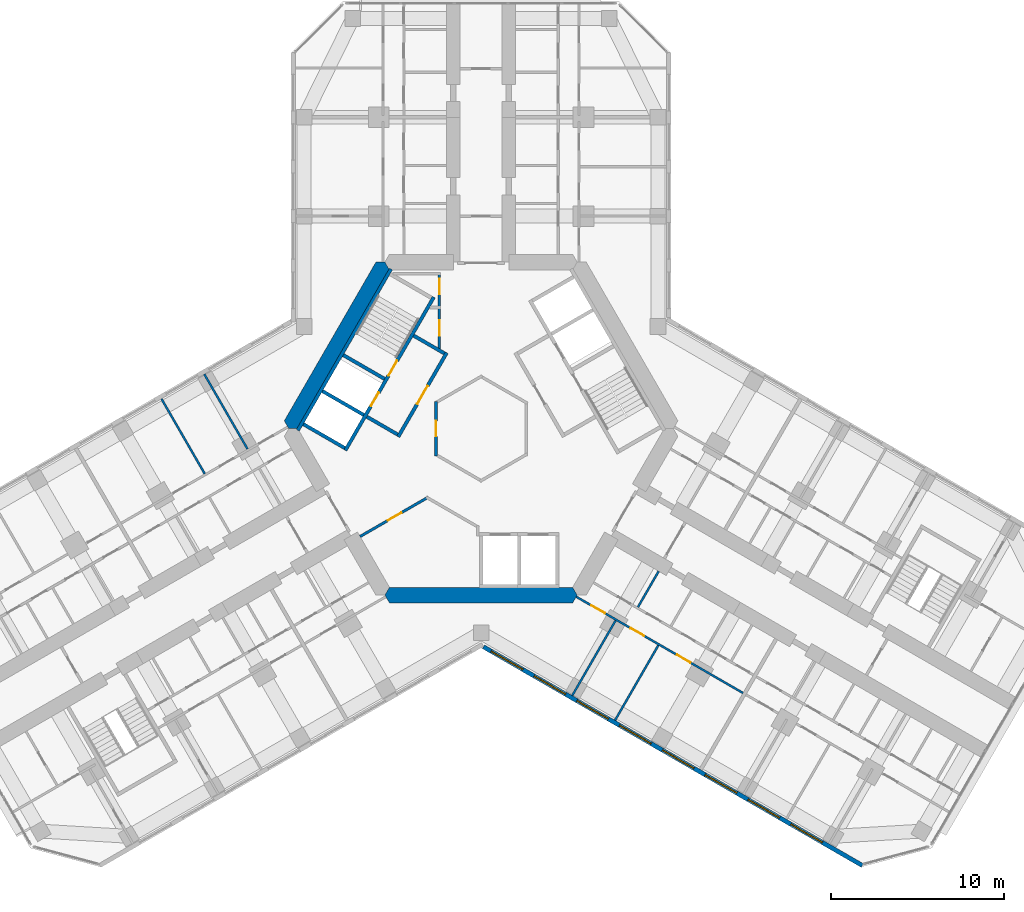
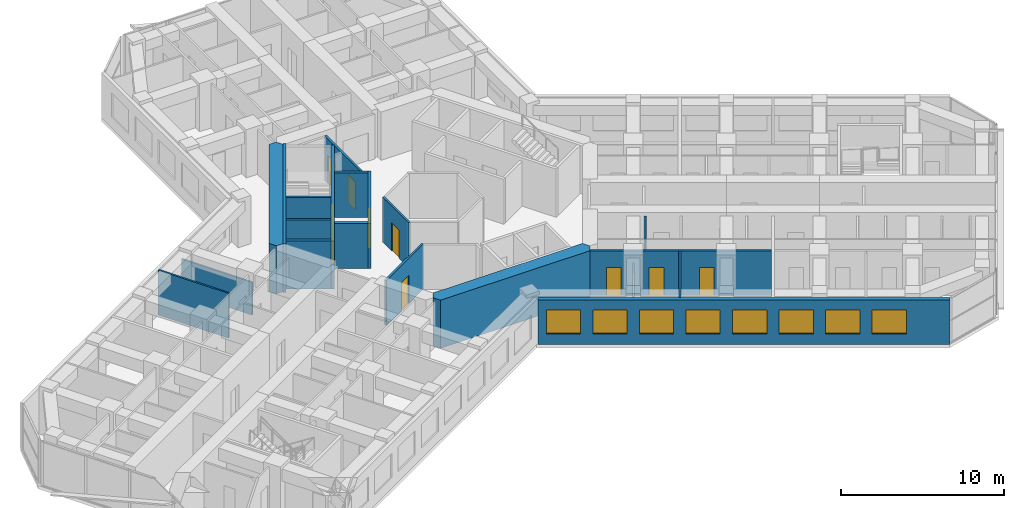
# One storey, part 13 of 20: 20 walls, 10 doors, 8 windows, 18 openings.
"""IFC4 building model written with IfcOpenShell, lengths in metres."""

from ifc_helpers import new_model, si_unit, direction, frame, frame_2d, origin, place, context, subcontext, project, spatial, polyline, rectangle, outline, extrude, material, layer, layer_set, type_object, element, fill, save


model = new_model("IFC4")

# Units and contexts
model_context = context("Model", 3, precision=1e-05, world=origin(), true_north=direction((0.0, 1.0)))
body_context = subcontext(model_context, "Body", "Model", "MODEL_VIEW")
ifc_project = project(units=[si_unit("LENGTHUNIT", "METRE"), si_unit("AREAUNIT", "SQUARE_METRE"), si_unit("VOLUMEUNIT", "CUBIC_METRE"), si_unit("PLANEANGLEUNIT", "RADIAN"), si_unit("MASSUNIT", "GRAM", prefix="KILO")], contexts=[model_context])

# Site, building, storey
site_placement = place(None, origin())
site = spatial("IfcSite", under=ifc_project, at=site_placement, CompositionType="ELEMENT")
building_placement = place(site_placement, origin())
building = spatial("IfcBuilding", under=site, at=building_placement, Name="Kosmar Iwan School Tower", CompositionType="ELEMENT")
storey_placement = place(building_placement, frame((0.0, 0.0, 176.0)))
storey = spatial("IfcBuildingStorey", under=building, at=storey_placement, Name="L44", CompositionType="ELEMENT", Elevation=176.0)

# Wall, openings, doors
ifc_material_1 = material(Name="Gypsum board on steel studs, fire-rated", Category="steel")
ifc_layer_1 = layer(ifc_material_1, 0.14990234375)
ifc_layer_set_1 = layer_set([ifc_layer_1], Name="Core room partition 150")
wall_type_1 = type_object("IfcWallType", Name="Core room partition 150", PredefinedType="PARTITIONING", material=ifc_layer_set_1)
wall_1_placement = place(storey_placement, frame((-2.39990234375, 9.014892578125, 0.0), z_axis=(0.0, 0.0, 1.0), x_axis=(0.0, -1.0, 0.0)))
wall_1 = element("IfcWall", 1, at=wall_1_placement, inside=storey, type_object=wall_type_1, Name="Core room partition L44-CW1", PredefinedType="PARTITIONING", context=body_context, shape_type="SweptSolid", body=[
    extrude(rectangle(XDim=4.484130859375, YDim=0.14990234375, at=frame_2d((2.2421875, 0.0))), origin(), (0.0, 0.0, 1.0), 3.35009765625),
])
opening_1_placement = place(wall_1_placement, frame((0.375, 0.0, 0.0)))
opening_1 = element("IfcOpeningElement", 2, at=opening_1_placement, cuts=wall_1, Name="Opening D14", PredefinedType="OPENING", context=body_context, shape_type="SweptSolid", body=[
    extrude(rectangle(XDim=0.89990234375, YDim=2.10009765625, at=frame_2d((0.449951171875, 1.050048828125))), frame((0.0, 0.0869140625, 0.0), z_axis=(0.0, -1.0, 0.0), x_axis=(1.0, 0.0, 0.0)), (0.0, 0.0, 1.0), 0.173828125),
])
opening_2_placement = place(wall_1_placement, frame((2.77490234375, 0.0, 0.0)))
opening_2 = element("IfcOpeningElement", 3, at=opening_2_placement, cuts=wall_1, Name="Opening D14", PredefinedType="OPENING", context=body_context, shape_type="SweptSolid", body=[
    extrude(rectangle(XDim=0.89990234375, YDim=2.10009765625, at=frame_2d((0.449951171875, 1.050048828125))), frame((0.0, 0.0869140625, 0.0), z_axis=(0.0, -1.0, 0.0), x_axis=(1.0, 0.0, 0.0)), (0.0, 0.0, 1.0), 0.173828125),
])
ifc_material_2 = material(Name="Timber fire door in steel frame", Category="steel")
door_type_1 = type_object("IfcDoorType", Name="Core room door 900x2100", OperationType="SINGLE_SWING_LEFT", PredefinedType="DOOR", material=ifc_material_2)
door_1_placement = place(opening_1_placement, origin())
door_1 = element("IfcDoor", 4, at=door_1_placement, inside=storey, type_object=door_type_1, Name="Electrical riser and switch room door L44 1", OperationType="SINGLE_SWING_LEFT", OverallHeight=2.10009765625, OverallWidth=0.89990234375, PredefinedType="DOOR", context=body_context, shape_type="SweptSolid", body=[
    extrude(rectangle(XDim=0.89990234375, YDim=2.10009765625, at=frame_2d((0.449951171875, 1.050048828125))), frame((0.0, 0.02490234375, 0.0), z_axis=(0.0, -1.0, 0.0), x_axis=(1.0, 0.0, 0.0)), (0.0, 0.0, 1.0), 0.050048828125),
])
fill(opening_1, door_1)
door_2_placement = place(opening_2_placement, origin())
door_2 = element("IfcDoor", 5, at=door_2_placement, inside=storey, type_object=door_type_1, Name="Plumbing and wet riser door L44 2", OperationType="SINGLE_SWING_RIGHT", OverallHeight=2.10009765625, OverallWidth=0.89990234375, PredefinedType="DOOR", context=body_context, shape_type="SweptSolid", body=[
    extrude(rectangle(XDim=0.89990234375, YDim=2.10009765625, at=frame_2d((0.449951171875, 1.050048828125))), frame((0.0, 0.02490234375, 0.0), z_axis=(0.0, -1.0, 0.0), x_axis=(1.0, 0.0, 0.0)), (0.0, 0.0, 1.0), 0.050048828125),
])
fill(opening_2, door_2)

# Wall, opening, door
wall_2_placement = place(storey_placement, frame((-6.978515625, -6.222900390625, 0.0), z_axis=(0.0, 0.0, 1.0), x_axis=(0.866033797781, 0.49998546089, 0.0)))
wall_2 = element("IfcWall", 6, at=wall_2_placement, inside=storey, type_object=wall_type_1, Name="Core room partition L44-CW5", PredefinedType="PARTITIONING", context=body_context, shape_type="SweptSolid", body=[
    extrude(rectangle(XDim=4.553466796875, YDim=0.14990234375, at=frame_2d((2.27685546875, 0.0))), origin(), (0.0, 0.0, 1.0), 3.35009765625),
])
opening_3_placement = place(wall_2_placement, frame((1.846923828125, 0.0, 0.0)))
opening_3 = element("IfcOpeningElement", 7, at=opening_3_placement, cuts=wall_2, Name="Opening D14", PredefinedType="OPENING", context=body_context, shape_type="SweptSolid", body=[
    extrude(rectangle(XDim=0.89990234375, YDim=2.10009765625, at=frame_2d((0.449951171875, 1.050048828125))), frame((0.0, 0.0869140625, 0.0), z_axis=(0.0, -1.0, 0.0), x_axis=(1.0, 0.0, 0.0)), (0.0, 0.0, 1.0), 0.173828125),
])
door_3_placement = place(opening_3_placement, origin())
door_3 = element("IfcDoor", 8, at=door_3_placement, inside=storey, type_object=door_type_1, Name="Residents' pantry door L44 3", OperationType="SINGLE_SWING_RIGHT", OverallHeight=2.10009765625, OverallWidth=0.89990234375, PredefinedType="DOOR", context=body_context, shape_type="SweptSolid", body=[
    extrude(rectangle(XDim=0.89990234375, YDim=2.10009765625, at=frame_2d((0.449951171875, 1.050048828125))), frame((0.0, 0.02490234375, 0.0), z_axis=(0.0, -1.0, 0.0), x_axis=(1.0, 0.0, 0.0)), (0.0, 0.0, 1.0), 0.050048828125),
])
fill(opening_3, door_3)

wall_3_placement = place(storey_placement, frame((-2.60009765625, -1.576171875, 0.0), z_axis=(0.0, 0.0, 1.0), x_axis=(0.0, 1.0, 0.0)))
wall_3 = element("IfcWall", 9, at=wall_3_placement, inside=storey, type_object=wall_type_1, Name="Core room partition L44-CW10", PredefinedType="PARTITIONING", context=body_context, shape_type="SweptSolid", body=[
    extrude(rectangle(XDim=3.15234375, YDim=0.14990234375, at=frame_2d((1.576171875, 0.0))), origin(), (0.0, 0.0, 1.0), 3.35009765625),
])
opening_4_placement = place(wall_3_placement, frame((1.1259765625, 0.0, 0.0)))
opening_4 = element("IfcOpeningElement", 10, at=opening_4_placement, cuts=wall_3, Name="Opening D14", PredefinedType="OPENING", context=body_context, shape_type="SweptSolid", body=[
    extrude(rectangle(XDim=0.89990234375, YDim=2.10009765625, at=frame_2d((0.449951171875, 1.050048828125))), frame((0.0, 0.0869140625, 0.0), z_axis=(0.0, -1.0, 0.0), x_axis=(1.0, 0.0, 0.0)), (0.0, 0.0, 1.0), 0.173828125),
])
door_4_placement = place(opening_4_placement, origin())
door_4 = element("IfcDoor", 11, at=door_4_placement, inside=storey, type_object=door_type_1, Name="Refuse and recycling room door L44 4", OperationType="SINGLE_SWING_LEFT", OverallHeight=2.10009765625, OverallWidth=0.89990234375, PredefinedType="DOOR", context=body_context, shape_type="SweptSolid", body=[
    extrude(rectangle(XDim=0.89990234375, YDim=2.10009765625, at=frame_2d((0.449951171875, 1.050048828125))), frame((0.0, 0.02490234375, 0.0), z_axis=(0.0, -1.0, 0.0), x_axis=(1.0, 0.0, 0.0)), (0.0, 0.0, 1.0), 0.050048828125),
])
fill(opening_4, door_4)

# Walls
ifc_material_3 = material(Name="Concrete C50/60", Category="concrete")
ifc_layer_2 = layer(ifc_material_3, 0.89990234375)
ifc_layer_set_2 = layer_set([ifc_layer_2], Name="Core wall 900")
wall_type_2 = type_object("IfcWallType", Name="Core wall 900", PredefinedType="SHEAR", material=ifc_layer_set_2)
wall_4_placement = place(storey_placement, origin())
element("IfcWall", 12, at=wall_4_placement, inside=storey, type_object=wall_type_2, Name="Core wall F150", PredefinedType="SHEAR", context=body_context, shape_type="SweptSolid", body=[
    extrude(outline(polyline([(-11.085205078125, 0.0), (-10.5654296875, 0.0), (-5.28271484375, 9.14990234375), (-5.54248046875, 9.60009765625), (-6.062255859375, 9.60009765625), (-11.344970703125, 0.449951171875), (-11.085205078125, 0.0)])), origin(), (0.0, 0.0, 1.0), 3.60009765625),
])
wall_5_placement = place(storey_placement, origin())
element("IfcWall", 13, at=wall_5_placement, inside=storey, type_object=wall_type_2, Name="Core wall F270", PredefinedType="SHEAR", context=body_context, shape_type="SweptSolid", body=[
    extrude(outline(polyline([(-5.28271484375, -10.050048828125), (5.28271484375, -10.050048828125), (5.54248046875, -9.60009765625), (5.28271484375, -9.14990234375), (-5.28271484375, -9.14990234375), (-5.54248046875, -9.60009765625), (-5.28271484375, -10.050048828125)])), origin(), (0.0, 0.0, 1.0), 3.60009765625),
])
ifc_material_4 = material(Name="Gypsum board on steel studs", Category="steel")
ifc_layer_3 = layer(ifc_material_4, 0.1201171875)
ifc_layer_set_3 = layer_set([ifc_layer_3], Name="Dwelling partition 120")
wall_type_3 = type_object("IfcWallType", Name="Dwelling partition 120", PredefinedType="PARTITIONING", material=ifc_layer_set_3)
wall_6_placement = place(storey_placement, frame((-13.4638671875, -1.179931640625, 0.0), z_axis=(0.0, 0.0, 1.0), x_axis=(-0.499975153383, 0.86603974851, 0.0)))
element("IfcWall", 14, at=wall_6_placement, inside=storey, type_object=wall_type_3, Name="Partition L44-BR1-X1", PredefinedType="PARTITIONING", context=body_context, shape_type="SweptSolid", body=[
    extrude(rectangle(XDim=4.989990234375, YDim=0.1201171875, at=frame_2d((2.4951171875, 0.0))), origin(), (0.0, 0.0, 1.0), 2.449951171875),
])
wall_7_placement = place(storey_placement, frame((-15.931884765625, -2.60498046875, 0.0), z_axis=(0.0, 0.0, 1.0), x_axis=(-0.500011847778, 0.866018563358, 0.0)))
element("IfcWall", 15, at=wall_7_placement, inside=storey, type_object=wall_type_3, Name="Partition L44-BR1-X2", PredefinedType="PARTITIONING", context=body_context, shape_type="SweptSolid", body=[
    extrude(rectangle(XDim=4.990234375, YDim=0.1201171875, at=frame_2d((2.4951171875, 0.0))), origin(), (0.0, 0.0, 1.0), 3.35009765625),
])

# Wall, openings, doors
wall_8_placement = place(storey_placement, frame((5.48876953125, -9.693115234375, 0.0), z_axis=(0.0, 0.0, 1.0), x_axis=(0.866026992824, -0.499997247692, 0.0)))
wall_8 = element("IfcWall", 16, at=wall_8_placement, inside=storey, type_object=wall_type_3, Name="Partition L44-CR1-W2", PredefinedType="PARTITIONING", context=body_context, shape_type="SweptSolid", body=[
    extrude(rectangle(XDim=11.10009765625, YDim=0.1201171875, at=frame_2d((5.550048828125, 0.0))), origin(), (0.0, 0.0, 1.0), 3.35009765625),
])
opening_5_placement = place(wall_8_placement, frame((1.0, 0.0, 0.0)))
opening_5 = element("IfcOpeningElement", 17, at=opening_5_placement, cuts=wall_8, Name="Opening D2", PredefinedType="OPENING", context=body_context, shape_type="SweptSolid", body=[
    extrude(rectangle(XDim=0.89990234375, YDim=2.10009765625, at=frame_2d((0.449951171875, 1.050048828125))), frame((0.0, 0.072021484375, 0.0), z_axis=(0.0, -1.0, 0.0), x_axis=(1.0, 0.0, 0.0)), (0.0, 0.0, 1.0), 0.14404296875),
])
opening_6_placement = place(wall_8_placement, frame((3.625, 0.0, 0.0)))
opening_6 = element("IfcOpeningElement", 18, at=opening_6_placement, cuts=wall_8, Name="Opening D2", PredefinedType="OPENING", context=body_context, shape_type="SweptSolid", body=[
    extrude(rectangle(XDim=0.89990234375, YDim=2.10009765625, at=frame_2d((0.449951171875, 1.050048828125))), frame((0.0, 0.072021484375, 0.0), z_axis=(0.0, -1.0, 0.0), x_axis=(1.0, 0.0, 0.0)), (0.0, 0.0, 1.0), 0.14404296875),
])
opening_7_placement = place(wall_8_placement, frame((6.699951171875, 0.0, 0.0)))
opening_7 = element("IfcOpeningElement", 19, at=opening_7_placement, cuts=wall_8, Name="Opening D2", PredefinedType="OPENING", context=body_context, shape_type="SweptSolid", body=[
    extrude(rectangle(XDim=0.89990234375, YDim=2.10009765625, at=frame_2d((0.449951171875, 1.050048828125))), frame((0.0, 0.072021484375, 0.0), z_axis=(0.0, -1.0, 0.0), x_axis=(1.0, 0.0, 0.0)), (0.0, 0.0, 1.0), 0.14404296875),
])
ifc_material_5 = material(Name="Timber door in timber frame", Category="wood")
door_type_2 = type_object("IfcDoorType", Name="Internal door 900x2100", OperationType="SINGLE_SWING_LEFT", PredefinedType="DOOR", material=ifc_material_5)
door_5_placement = place(opening_5_placement, origin())
door_5 = element("IfcDoor", 20, at=door_5_placement, inside=storey, type_object=door_type_2, Name="Bedroom 1 door L44-CR1-F1", OperationType="SINGLE_SWING_LEFT", OverallHeight=2.10009765625, OverallWidth=0.89990234375, PredefinedType="DOOR", context=body_context, shape_type="SweptSolid", body=[
    extrude(rectangle(XDim=0.89990234375, YDim=2.10009765625, at=frame_2d((0.449951171875, 1.050048828125))), frame((0.0, 0.02490234375, 0.0), z_axis=(0.0, -1.0, 0.0), x_axis=(1.0, 0.0, 0.0)), (0.0, 0.0, 1.0), 0.050048828125),
])
fill(opening_5, door_5)
door_6_placement = place(opening_6_placement, origin())
door_6 = element("IfcDoor", 21, at=door_6_placement, inside=storey, type_object=door_type_2, Name="Study door L44-CR1-F2", OperationType="SINGLE_SWING_LEFT", OverallHeight=2.10009765625, OverallWidth=0.89990234375, PredefinedType="DOOR", context=body_context, shape_type="SweptSolid", body=[
    extrude(rectangle(XDim=0.89990234375, YDim=2.10009765625, at=frame_2d((0.449951171875, 1.050048828125))), frame((0.0, 0.02490234375, 0.0), z_axis=(0.0, -1.0, 0.0), x_axis=(1.0, 0.0, 0.0)), (0.0, 0.0, 1.0), 0.050048828125),
])
fill(opening_6, door_6)
door_7_placement = place(opening_7_placement, origin())
door_7 = element("IfcDoor", 22, at=door_7_placement, inside=storey, type_object=door_type_2, Name="Family room and kitchen door L44-CR1-F3", OperationType="SINGLE_SWING_RIGHT", OverallHeight=2.10009765625, OverallWidth=0.89990234375, PredefinedType="DOOR", context=body_context, shape_type="SweptSolid", body=[
    extrude(rectangle(XDim=0.89990234375, YDim=2.10009765625, at=frame_2d((0.449951171875, 1.050048828125))), frame((0.0, 0.02490234375, 0.0), z_axis=(0.0, -1.0, 0.0), x_axis=(1.0, 0.0, 0.0)), (0.0, 0.0, 1.0), 0.050048828125),
])
fill(opening_7, door_7)

# Walls
wall_9_placement = place(storey_placement, frame((7.75390625, -11.070068359375, 0.0), z_axis=(0.0, 0.0, 1.0), x_axis=(-0.500011847778, -0.866018563358, 0.0)))
element("IfcWall", 23, at=wall_9_placement, inside=storey, type_object=wall_type_3, Name="Partition L44-CR1-X1", PredefinedType="PARTITIONING", context=body_context, shape_type="SweptSolid", body=[
    extrude(rectangle(XDim=4.990234375, YDim=0.1201171875, at=frame_2d((2.4951171875, 0.0))), origin(), (0.0, 0.0, 1.0), 2.449951171875),
])
wall_10_placement = place(storey_placement, frame((10.221923828125, -12.4951171875, 0.0), z_axis=(0.0, 0.0, 1.0), x_axis=(-0.499996339024, -0.86602751744, 0.0)))
element("IfcWall", 24, at=wall_10_placement, inside=storey, type_object=wall_type_3, Name="Partition L44-CR1-X2", PredefinedType="PARTITIONING", context=body_context, shape_type="SweptSolid", body=[
    extrude(rectangle(XDim=4.98974609375, YDim=0.1201171875, at=frame_2d((2.494873046875, 0.0))), origin(), (0.0, 0.0, 1.0), 3.35009765625),
])
wall_11_placement = place(storey_placement, frame((10.240966796875, -8.221923828125, 0.0), z_axis=(0.0, 0.0, 1.0), x_axis=(-0.500017192868, -0.86601547725, 0.0)))
element("IfcWall", 25, at=wall_11_placement, inside=storey, type_object=wall_type_3, Name="Partition L44-CR1-Y1", PredefinedType="PARTITIONING", context=body_context, shape_type="SweptSolid", body=[
    extrude(rectangle(XDim=2.39013671875, YDim=0.1201171875, at=frame_2d((1.195068359375, 0.0))), origin(), (0.0, 0.0, 1.0), 3.35009765625),
])

# Wall, openings, windows
ifc_material_6 = material(Name="Black aluminium rainscreen on insulated framing", Category="aluminium")
ifc_layer_4 = layer(ifc_material_6, 0.25)
ifc_layer_set_4 = layer_set([ifc_layer_4], Name="External wall rainscreen 250")
wall_type_4 = type_object("IfcWallType", Name="External wall rainscreen 250", PredefinedType="SOLIDWALL", material=ifc_layer_set_4)
wall_12_placement = place(storey_placement, frame((0.137939453125, -12.5791015625, 0.0), z_axis=(0.0, 0.0, 1.0), x_axis=(0.866023775649, -0.500002820003, 0.0)))
wall_12 = element("IfcWall", 26, at=wall_12_placement, inside=storey, type_object=wall_type_4, Name="External wall CR L44", PredefinedType="SOLIDWALL", context=body_context, shape_type="SweptSolid", body=[
    extrude(rectangle(XDim=25.226318359375, YDim=0.25, at=frame_2d((12.61328125, 0.0))), origin(), (0.0, 0.0, 1.0), 3.35009765625),
])
opening_8_placement = place(wall_12_placement, frame((0.51611328125, 0.0, 0.800048828125)))
opening_8 = element("IfcOpeningElement", 27, at=opening_8_placement, cuts=wall_12, Name="Opening W4", PredefinedType="OPENING", context=body_context, shape_type="SweptSolid", body=[
    extrude(rectangle(XDim=2.10009765625, YDim=1.800048828125, at=frame_2d((1.050048828125, 0.89990234375))), frame((0.0, 0.136962890625, 0.0), z_axis=(0.0, -1.0, 0.0), x_axis=(1.0, 0.0, 0.0)), (0.0, 0.0, 1.0), 0.27392578125),
])
opening_9_placement = place(wall_12_placement, frame((3.365966796875, 0.0, 0.800048828125)))
opening_9 = element("IfcOpeningElement", 28, at=opening_9_placement, cuts=wall_12, Name="Opening W4", PredefinedType="OPENING", context=body_context, shape_type="SweptSolid", body=[
    extrude(rectangle(XDim=2.10009765625, YDim=1.800048828125, at=frame_2d((1.050048828125, 0.89990234375))), frame((0.0, 0.136962890625, 0.0), z_axis=(0.0, -1.0, 0.0), x_axis=(1.0, 0.0, 0.0)), (0.0, 0.0, 1.0), 0.27392578125),
])
opening_10_placement = place(wall_12_placement, frame((6.216064453125, 0.0, 0.800048828125)))
opening_10 = element("IfcOpeningElement", 29, at=opening_10_placement, cuts=wall_12, Name="Opening W4", PredefinedType="OPENING", context=body_context, shape_type="SweptSolid", body=[
    extrude(rectangle(XDim=2.10009765625, YDim=1.800048828125, at=frame_2d((1.050048828125, 0.89990234375))), frame((0.0, 0.136962890625, 0.0), z_axis=(0.0, -1.0, 0.0), x_axis=(1.0, 0.0, 0.0)), (0.0, 0.0, 1.0), 0.27392578125),
])
opening_11_placement = place(wall_12_placement, frame((9.06591796875, 0.0, 0.800048828125)))
opening_11 = element("IfcOpeningElement", 30, at=opening_11_placement, cuts=wall_12, Name="Opening W4", PredefinedType="OPENING", context=body_context, shape_type="SweptSolid", body=[
    extrude(rectangle(XDim=2.10009765625, YDim=1.800048828125, at=frame_2d((1.050048828125, 0.89990234375))), frame((0.0, 0.136962890625, 0.0), z_axis=(0.0, -1.0, 0.0), x_axis=(1.0, 0.0, 0.0)), (0.0, 0.0, 1.0), 0.27392578125),
])
opening_12_placement = place(wall_12_placement, frame((11.916015625, 0.0, 0.800048828125)))
opening_12 = element("IfcOpeningElement", 31, at=opening_12_placement, cuts=wall_12, Name="Opening W4", PredefinedType="OPENING", context=body_context, shape_type="SweptSolid", body=[
    extrude(rectangle(XDim=2.10009765625, YDim=1.800048828125, at=frame_2d((1.050048828125, 0.89990234375))), frame((0.0, 0.136962890625, 0.0), z_axis=(0.0, -1.0, 0.0), x_axis=(1.0, 0.0, 0.0)), (0.0, 0.0, 1.0), 0.27392578125),
])
opening_13_placement = place(wall_12_placement, frame((14.76611328125, 0.0, 0.800048828125)))
opening_13 = element("IfcOpeningElement", 32, at=opening_13_placement, cuts=wall_12, Name="Opening W4", PredefinedType="OPENING", context=body_context, shape_type="SweptSolid", body=[
    extrude(rectangle(XDim=2.10009765625, YDim=1.800048828125, at=frame_2d((1.050048828125, 0.89990234375))), frame((0.0, 0.136962890625, 0.0), z_axis=(0.0, -1.0, 0.0), x_axis=(1.0, 0.0, 0.0)), (0.0, 0.0, 1.0), 0.27392578125),
])
opening_14_placement = place(wall_12_placement, frame((17.615966796875, 0.0, 0.800048828125)))
opening_14 = element("IfcOpeningElement", 33, at=opening_14_placement, cuts=wall_12, Name="Opening W4", PredefinedType="OPENING", context=body_context, shape_type="SweptSolid", body=[
    extrude(rectangle(XDim=2.10009765625, YDim=1.800048828125, at=frame_2d((1.050048828125, 0.89990234375))), frame((0.0, 0.136962890625, 0.0), z_axis=(0.0, -1.0, 0.0), x_axis=(1.0, 0.0, 0.0)), (0.0, 0.0, 1.0), 0.27392578125),
])
opening_15_placement = place(wall_12_placement, frame((20.466064453125, 0.0, 0.800048828125)))
opening_15 = element("IfcOpeningElement", 34, at=opening_15_placement, cuts=wall_12, Name="Opening W4", PredefinedType="OPENING", context=body_context, shape_type="SweptSolid", body=[
    extrude(rectangle(XDim=2.10009765625, YDim=1.800048828125, at=frame_2d((1.050048828125, 0.89990234375))), frame((0.0, 0.136962890625, 0.0), z_axis=(0.0, -1.0, 0.0), x_axis=(1.0, 0.0, 0.0)), (0.0, 0.0, 1.0), 0.27392578125),
])
ifc_material_7 = material(Name="Black aluminium frame with dark triple glazing", Category="aluminium")
window_type = type_object("IfcWindowType", Name="Window 2100x1800", PartitioningType="SINGLE_PANEL", PredefinedType="WINDOW", material=ifc_material_7)
window_1_placement = place(opening_8_placement, origin())
window_1 = element("IfcWindow", 35, at=window_1_placement, inside=storey, type_object=window_type, Name="Window CR L44 -1", OverallHeight=1.800048828125, OverallWidth=2.10009765625, PartitioningType="SINGLE_PANEL", PredefinedType="WINDOW", context=body_context, shape_type="SweptSolid", body=[
    extrude(rectangle(XDim=2.10009765625, YDim=1.800048828125, at=frame_2d((1.050048828125, 0.89990234375))), frame((0.0, 0.030029296875, 0.0), z_axis=(0.0, -1.0, 0.0), x_axis=(1.0, 0.0, 0.0)), (0.0, 0.0, 1.0), 0.06005859375),
])
fill(opening_8, window_1)
window_2_placement = place(opening_9_placement, origin())
window_2 = element("IfcWindow", 36, at=window_2_placement, inside=storey, type_object=window_type, Name="Window CR L44 0", OverallHeight=1.800048828125, OverallWidth=2.10009765625, PartitioningType="SINGLE_PANEL", PredefinedType="WINDOW", context=body_context, shape_type="SweptSolid", body=[
    extrude(rectangle(XDim=2.10009765625, YDim=1.800048828125, at=frame_2d((1.050048828125, 0.89990234375))), frame((0.0, 0.030029296875, 0.0), z_axis=(0.0, -1.0, 0.0), x_axis=(1.0, 0.0, 0.0)), (0.0, 0.0, 1.0), 0.06005859375),
])
fill(opening_9, window_2)
window_3_placement = place(opening_10_placement, origin())
window_3 = element("IfcWindow", 37, at=window_3_placement, inside=storey, type_object=window_type, Name="Window CR L44 1", OverallHeight=1.800048828125, OverallWidth=2.10009765625, PartitioningType="SINGLE_PANEL", PredefinedType="WINDOW", context=body_context, shape_type="SweptSolid", body=[
    extrude(rectangle(XDim=2.10009765625, YDim=1.800048828125, at=frame_2d((1.050048828125, 0.89990234375))), frame((0.0, 0.030029296875, 0.0), z_axis=(0.0, -1.0, 0.0), x_axis=(1.0, 0.0, 0.0)), (0.0, 0.0, 1.0), 0.06005859375),
])
fill(opening_10, window_3)
window_4_placement = place(opening_11_placement, origin())
window_4 = element("IfcWindow", 38, at=window_4_placement, inside=storey, type_object=window_type, Name="Window CR L44 2", OverallHeight=1.800048828125, OverallWidth=2.10009765625, PartitioningType="SINGLE_PANEL", PredefinedType="WINDOW", context=body_context, shape_type="SweptSolid", body=[
    extrude(rectangle(XDim=2.10009765625, YDim=1.800048828125, at=frame_2d((1.050048828125, 0.89990234375))), frame((0.0, 0.030029296875, 0.0), z_axis=(0.0, -1.0, 0.0), x_axis=(1.0, 0.0, 0.0)), (0.0, 0.0, 1.0), 0.06005859375),
])
fill(opening_11, window_4)
window_5_placement = place(opening_12_placement, origin())
window_5 = element("IfcWindow", 39, at=window_5_placement, inside=storey, type_object=window_type, Name="Window CR L44 3", OverallHeight=1.800048828125, OverallWidth=2.10009765625, PartitioningType="SINGLE_PANEL", PredefinedType="WINDOW", context=body_context, shape_type="SweptSolid", body=[
    extrude(rectangle(XDim=2.10009765625, YDim=1.800048828125, at=frame_2d((1.050048828125, 0.89990234375))), frame((0.0, 0.030029296875, 0.0), z_axis=(0.0, -1.0, 0.0), x_axis=(1.0, 0.0, 0.0)), (0.0, 0.0, 1.0), 0.06005859375),
])
fill(opening_12, window_5)
window_6_placement = place(opening_13_placement, origin())
window_6 = element("IfcWindow", 40, at=window_6_placement, inside=storey, type_object=window_type, Name="Window CR L44 4", OverallHeight=1.800048828125, OverallWidth=2.10009765625, PartitioningType="SINGLE_PANEL", PredefinedType="WINDOW", context=body_context, shape_type="SweptSolid", body=[
    extrude(rectangle(XDim=2.10009765625, YDim=1.800048828125, at=frame_2d((1.050048828125, 0.89990234375))), frame((0.0, 0.030029296875, 0.0), z_axis=(0.0, -1.0, 0.0), x_axis=(1.0, 0.0, 0.0)), (0.0, 0.0, 1.0), 0.06005859375),
])
fill(opening_13, window_6)
window_7_placement = place(opening_14_placement, origin())
window_7 = element("IfcWindow", 41, at=window_7_placement, inside=storey, type_object=window_type, Name="Window CR L44 5", OverallHeight=1.800048828125, OverallWidth=2.10009765625, PartitioningType="SINGLE_PANEL", PredefinedType="WINDOW", context=body_context, shape_type="SweptSolid", body=[
    extrude(rectangle(XDim=2.10009765625, YDim=1.800048828125, at=frame_2d((1.050048828125, 0.89990234375))), frame((0.0, 0.030029296875, 0.0), z_axis=(0.0, -1.0, 0.0), x_axis=(1.0, 0.0, 0.0)), (0.0, 0.0, 1.0), 0.06005859375),
])
fill(opening_14, window_7)
window_8_placement = place(opening_15_placement, origin())
window_8 = element("IfcWindow", 42, at=window_8_placement, inside=storey, type_object=window_type, Name="Window CR L44 6", OverallHeight=1.800048828125, OverallWidth=2.10009765625, PartitioningType="SINGLE_PANEL", PredefinedType="WINDOW", context=body_context, shape_type="SweptSolid", body=[
    extrude(rectangle(XDim=2.10009765625, YDim=1.800048828125, at=frame_2d((1.050048828125, 0.89990234375))), frame((0.0, 0.030029296875, 0.0), z_axis=(0.0, -1.0, 0.0), x_axis=(1.0, 0.0, 0.0)), (0.0, 0.0, 1.0), 0.06005859375),
])
fill(opening_15, window_8)

# Wall, opening, door
ifc_material_8 = material(Name="Concrete block masonry", Category="masonry")
ifc_layer_5 = layer(ifc_material_8, 0.199951171875)
ifc_layer_set_5 = layer_set([ifc_layer_5], Name="Fire lobby wall 200")
wall_type_5 = type_object("IfcWallType", Name="Fire lobby wall 200", PredefinedType="PARTITIONING", material=ifc_layer_set_5)
wall_13_placement = place(storey_placement, frame((-1.9775390625, 4.374755859375, 0.0), z_axis=(0.0, 0.0, 1.0), x_axis=(-0.500016814911, -0.866015695474, 0.0)))
wall_13 = element("IfcWall", 43, at=wall_13_placement, inside=storey, type_object=wall_type_5, Name="Firefighting lobby wall ST2", PredefinedType="PARTITIONING", context=body_context, shape_type="SweptSolid", body=[
    extrude(rectangle(XDim=5.599853515625, YDim=0.199951171875, at=frame_2d((2.7998046875, 0.0))), origin(), (0.0, 0.0, 1.0), 3.35009765625),
])
opening_16_placement = place(wall_13_placement, frame((2.199951171875, 0.0, 0.0)))
opening_16 = element("IfcOpeningElement", 44, at=opening_16_placement, cuts=wall_13, Name="Opening D7", PredefinedType="OPENING", context=body_context, shape_type="SweptSolid", body=[
    extrude(rectangle(XDim=1.199951171875, YDim=2.10009765625, at=frame_2d((0.60009765625, 1.050048828125))), frame((0.0, 0.112060546875, 0.0), z_axis=(0.0, -1.0, 0.0), x_axis=(1.0, 0.0, 0.0)), (0.0, 0.0, 1.0), 0.223876953125),
])
ifc_material_9 = material(Name="Steel fire door", Category="steel")
door_type_3 = type_object("IfcDoorType", Name="Fire lobby door 1200x2100", OperationType="SINGLE_SWING_LEFT", PredefinedType="DOOR", material=ifc_material_9)
door_8_placement = place(opening_16_placement, frame((1.199951171875, 0.0, 0.0), z_axis=(0.0, 0.0, 1.0), x_axis=(-1.0, 0.0, 0.0)))
door_8 = element("IfcDoor", 45, at=door_8_placement, inside=storey, type_object=door_type_3, Name="Firefighting lobby door ST2 L44", OperationType="SINGLE_SWING_RIGHT", OverallHeight=2.10009765625, OverallWidth=1.199951171875, PredefinedType="DOOR", context=body_context, shape_type="SweptSolid", body=[
    extrude(rectangle(XDim=1.199951171875, YDim=2.10009765625, at=frame_2d((0.60009765625, 1.050048828125))), frame((0.0, 0.02490234375, 0.0), z_axis=(0.0, -1.0, 0.0), x_axis=(1.0, 0.0, 0.0)), (0.0, 0.0, 1.0), 0.050048828125),
])
fill(opening_16, door_8)

# Walls
wall_14_placement = place(storey_placement, frame((-2.114013671875, 4.33837890625, 0.0), z_axis=(0.0, 0.0, 1.0), x_axis=(-0.866050731258, 0.499956128963, 0.0)))
element("IfcWall", 46, at=wall_14_placement, inside=storey, type_object=wall_type_5, Name="Firefighting lobby wall ST2", PredefinedType="PARTITIONING", context=body_context, shape_type="SweptSolid", body=[
    extrude(rectangle(XDim=2.050048828125, YDim=0.199951171875, at=frame_2d((1.02490234375, 0.0))), origin(), (0.0, 0.0, 1.0), 3.35009765625),
])
wall_15_placement = place(storey_placement, frame((-4.814208984375, -0.33837890625, 0.0), z_axis=(0.0, 0.0, 1.0), x_axis=(-0.865969381856, 0.500097020274, 0.0)))
element("IfcWall", 47, at=wall_15_placement, inside=storey, type_object=wall_type_5, Name="Firefighting lobby wall ST2", PredefinedType="PARTITIONING", context=body_context, shape_type="SweptSolid", body=[
    extrude(rectangle(XDim=2.0498046875, YDim=0.199951171875, at=frame_2d((1.02490234375, 0.0))), origin(), (0.0, 0.0, 1.0), 3.35009765625),
])

# Wall, openings, doors
ifc_material_10 = material(Name="Concrete C50/60", Category="concrete")
ifc_layer_6 = layer(ifc_material_10, 0.199951171875)
ifc_layer_set_6 = layer_set([ifc_layer_6], Name="Lift shaft wall 200")
wall_type_6 = type_object("IfcWallType", Name="Lift shaft wall 200", PredefinedType="SHEAR", material=ifc_layer_set_6)
wall_16_placement = place(storey_placement, frame((-2.72607421875, 7.578369140625, 0.0), z_axis=(0.0, 0.0, 1.0), x_axis=(-0.500005610874, -0.86602216432, 0.0)))
wall_16 = element("IfcWall", 48, at=wall_16_placement, inside=storey, type_object=wall_type_6, Name="Lift and stair front wall AB", PredefinedType="SHEAR", context=body_context, shape_type="SweptSolid", body=[
    extrude(rectangle(XDim=10.2001953125, YDim=0.199951171875, at=frame_2d((5.10009765625, 0.0))), origin(), (0.0, 0.0, 1.0), 3.60009765625),
])
opening_17_placement = place(wall_16_placement, frame((6.35009765625, 0.0, 0.0)))
opening_17 = element("IfcOpeningElement", 49, at=opening_17_placement, cuts=wall_16, Name="Opening LD2", PredefinedType="OPENING", context=body_context, shape_type="SweptSolid", body=[
    extrude(rectangle(XDim=0.89990234375, YDim=2.10009765625, at=frame_2d((0.449951171875, 1.050048828125))), frame((0.0, 0.112060546875, 0.0), z_axis=(0.0, -1.0, 0.0), x_axis=(1.0, 0.0, 0.0)), (0.0, 0.0, 1.0), 0.223876953125),
])
opening_18_placement = place(wall_16_placement, frame((4.22998046875, 0.0, 0.0)))
opening_18 = element("IfcOpeningElement", 50, at=opening_18_placement, cuts=wall_16, Name="Opening D6", PredefinedType="OPENING", context=body_context, shape_type="SweptSolid", body=[
    extrude(rectangle(XDim=1.0, YDim=2.10009765625, at=frame_2d((0.5, 1.050048828125))), frame((0.0, 0.112060546875, 0.0), z_axis=(0.0, -1.0, 0.0), x_axis=(1.0, 0.0, 0.0)), (0.0, 0.0, 1.0), 0.223876953125),
])
ifc_material_11 = material(Name="Stainless steel sliding lift door", Category="steel")
door_type_4 = type_object("IfcDoorType", Name="Firefighting lift landing door 900x2100", OperationType="SLIDING_TO_LEFT", PredefinedType="DOOR", material=ifc_material_11)
door_9_placement = place(opening_17_placement, origin())
door_9 = element("IfcDoor", 51, at=door_9_placement, inside=storey, type_object=door_type_4, Name="Lift FF2 landing door L44", OperationType="SLIDING_TO_LEFT", OverallHeight=2.10009765625, OverallWidth=0.89990234375, PredefinedType="DOOR", context=body_context, shape_type="SweptSolid", body=[
    extrude(rectangle(XDim=0.89990234375, YDim=2.10009765625, at=frame_2d((0.449951171875, 1.050048828125))), frame((0.0, 0.02490234375, 0.0), z_axis=(0.0, -1.0, 0.0), x_axis=(1.0, 0.0, 0.0)), (0.0, 0.0, 1.0), 0.050048828125),
])
fill(opening_17, door_9)
ifc_material_12 = material(Name="Steel fire door", Category="steel")
door_type_5 = type_object("IfcDoorType", Name="Stair door 1000x2100", OperationType="SINGLE_SWING_LEFT", PredefinedType="DOOR", material=ifc_material_12)
door_10_placement = place(opening_18_placement, origin())
door_10 = element("IfcDoor", 52, at=door_10_placement, inside=storey, type_object=door_type_5, Name="Stair ST2 door L44", OperationType="SINGLE_SWING_LEFT", OverallHeight=2.10009765625, OverallWidth=1.0, PredefinedType="DOOR", context=body_context, shape_type="SweptSolid", body=[
    extrude(rectangle(XDim=1.0, YDim=2.10009765625, at=frame_2d((0.5, 1.050048828125))), frame((0.0, 0.02490234375, 0.0), z_axis=(0.0, -1.0, 0.0), x_axis=(1.0, 0.0, 0.0)), (0.0, 0.0, 1.0), 0.050048828125),
])
fill(opening_18, door_10)

# Walls
wall_17_placement = place(storey_placement, frame((-5.196044921875, 9.199951171875, 0.0), z_axis=(0.0, 0.0, 1.0), x_axis=(-0.499999935134, -0.866025441235, 0.0)))
element("IfcWall", 53, at=wall_17_placement, inside=storey, type_object=wall_type_6, Name="Lift and stair back wall AB", PredefinedType="SHEAR", context=body_context, shape_type="SweptSolid", body=[
    extrude(rectangle(XDim=10.73876953125, YDim=0.199951171875, at=frame_2d((5.369384765625, 0.0))), origin(), (0.0, 0.0, 1.0), 3.60009765625),
])
for number, where, z_axis, x_axis, name in (
    (54, (-6.7626953125, 0.78662109375, 0.0), (0.0, 0.0, 1.0), (-0.866027397988, 0.499996545922, 0.0), "Lift shaft wall AB 1"),
    (55, (-7.862548828125, -1.118408203125, 0.0), (0.0, 0.0, 1.0), (-0.866027397988, 0.499996545922, 0.0), "Lift shaft wall AB 2"),
):
    element("IfcWall", number, at=place(storey_placement, frame(where, z_axis=z_axis, x_axis=x_axis)), inside=storey, type_object=wall_type_6, Name=name, PredefinedType="SHEAR", context=body_context, shape_type="SweptSolid", body=[
        extrude(rectangle(XDim=2.75, YDim=0.199951171875, at=frame_2d((1.375, 0.0))), origin(), (0.0, 0.0, 1.0), 3.60009765625),
    ])
ifc_material_13 = material(Name="Concrete C50/60", Category="concrete")
ifc_layer_7 = layer(ifc_material_13, 0.199951171875)
ifc_layer_set_7 = layer_set([ifc_layer_7], Name="Stair enclosure wall 200")
wall_type_7 = type_object("IfcWallType", Name="Stair enclosure wall 200", PredefinedType="SHEAR", material=ifc_layer_set_7)
wall_18_placement = place(storey_placement, frame((-5.562744140625, 2.865234375, 0.0), z_axis=(0.0, 0.0, 1.0), x_axis=(-0.866027397988, 0.499996545922, 0.0)))
element("IfcWall", 56, at=wall_18_placement, inside=storey, type_object=wall_type_7, Name="Stair ST2 wall", PredefinedType="SHEAR", context=body_context, shape_type="SweptSolid", body=[
    extrude(rectangle(XDim=2.75, YDim=0.199951171875, at=frame_2d((1.375, 0.0))), origin(), (0.0, 0.0, 1.0), 3.60009765625),
])

save(model, "model.ifc")
